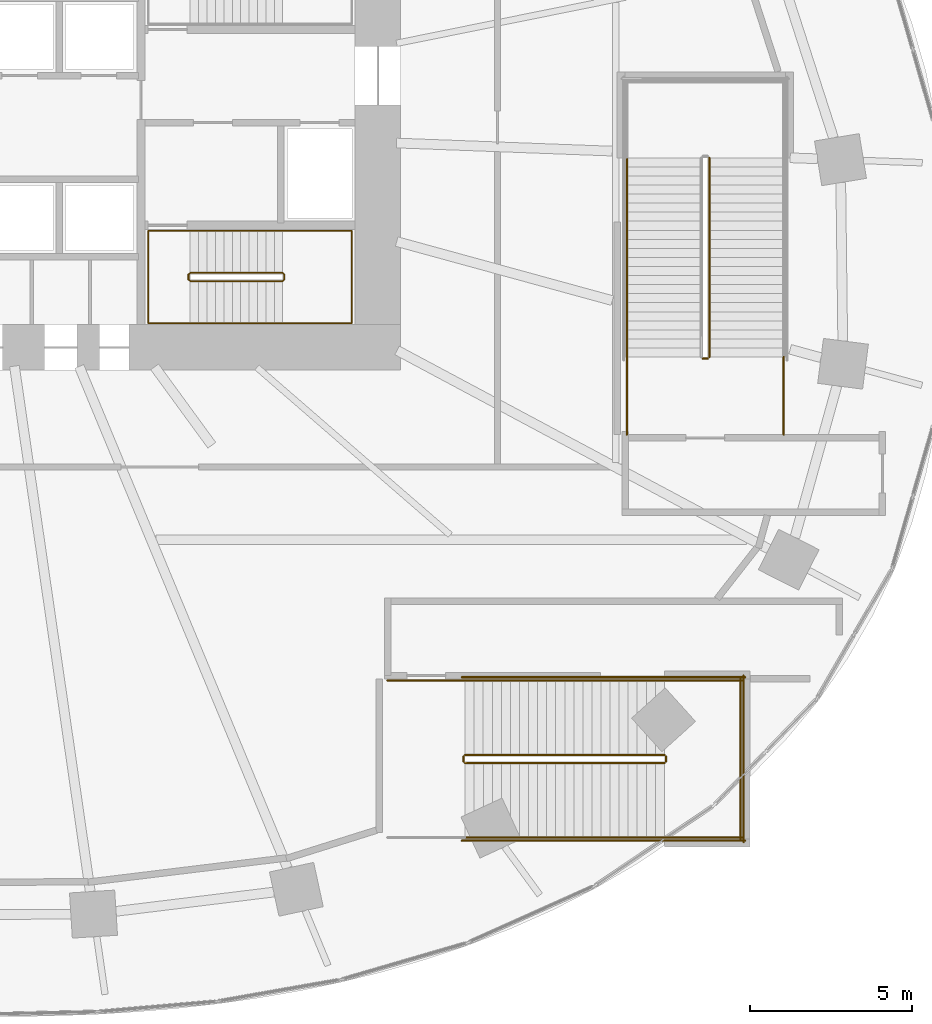
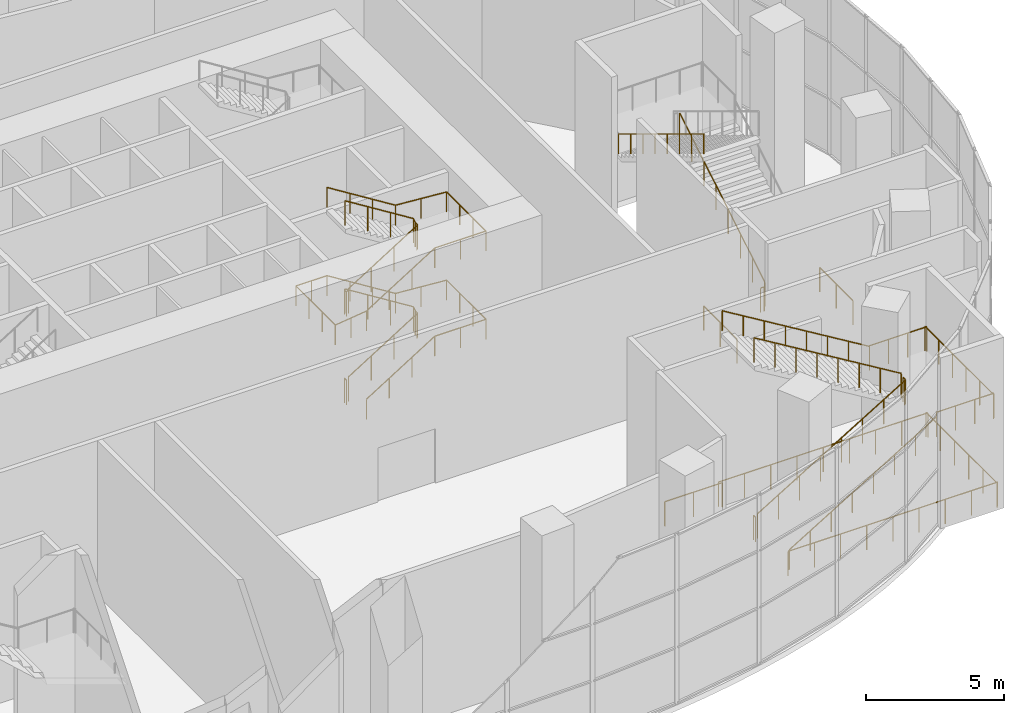
# One storey, part 20 of 22: 21 railings.
"""IFC4 building model written with IfcOpenShell, lengths in metres."""

from ifc_helpers import new_model, si_unit, direction, frame, origin, origin_2d, place, context, subcontext, project, spatial, circle, extrude, material, type_object, element, save


model = new_model("IFC4")

# Units and contexts
model_context = context("Model", 3, precision=1e-05, world=origin(), true_north=direction((0.0, 1.0)))
body_context = subcontext(model_context, "Body", "Model", "MODEL_VIEW")
ifc_project = project(units=[si_unit("LENGTHUNIT", "METRE"), si_unit("AREAUNIT", "SQUARE_METRE"), si_unit("VOLUMEUNIT", "CUBIC_METRE"), si_unit("PLANEANGLEUNIT", "RADIAN"), si_unit("MASSUNIT", "GRAM", prefix="KILO")], contexts=[model_context])

# Site, building, storey
site_placement = place(None, origin())
site = spatial("IfcSite", under=ifc_project, at=site_placement, CompositionType="ELEMENT")
building_placement = place(site_placement, origin())
building = spatial("IfcBuilding", under=site, at=building_placement, Name="Rubra Terraces Tower", CompositionType="ELEMENT")
storey_placement = place(building_placement, frame((0.0, 0.0, 7.199951171875)))
storey = spatial("IfcBuildingStorey", under=building, at=storey_placement, Name="L01", CompositionType="ELEMENT", Elevation=7.199951171875)

# Railings
ifc_material = material(Name="Stainless steel", Category="steel")
railing_type_1 = type_object("IfcRailingType", Name="Core stair guard 1100", PredefinedType="GUARDRAIL", material=ifc_material)
railing_1_placement = place(storey_placement, frame((6.5, -0.25, 0.16259765625)))
element("IfcRailing", 1, at=railing_1_placement, inside=storey, type_object=railing_type_1, Name="L01 stair S4 guard 1", PredefinedType="GUARDRAIL", context=body_context, shape_type="SweptSolid", body=[
    extrude(circle(Radius=0.02392578125, at=origin_2d()), frame((0.0, 0.0, 1.076171875), z_axis=(0.848026770018, 0.0, 0.529953391661), x_axis=(0.0, 1.0, 0.0)), (0.0, 0.0, 1.0), 3.37255859375),
    extrude(circle(Radius=0.02392578125, at=origin_2d()), frame((2.860107421875, 0.0, 2.86328125), z_axis=(0.705375805398, 0.708833529934, 0.0), x_axis=(-0.708833529934, 0.705375805398, 0.0)), (0.0, 0.0, 1.0), 0.070556640625),
    extrude(circle(Radius=0.02392578125, at=origin_2d()), frame((2.909912109375, 0.050048828125, 2.86328125), z_axis=(0.0, 1.0, 0.0), x_axis=(-1.0, 0.0, 0.0)), (0.0, 0.0, 1.0), 0.14990234375),
    extrude(circle(Radius=0.02392578125, at=origin_2d()), frame((2.909912109375, 0.199951171875, 2.86328125), z_axis=(-0.280959487676, 0.282336740067, 0.917250092119), x_axis=(-0.708833529934, -0.705375805398, 0.0)), (0.0, 0.0, 1.0), 0.17724609375),
    extrude(circle(Radius=0.02392578125, at=origin_2d()), frame((2.860107421875, 0.25, 3.02587890625), z_axis=(-0.847994237388, 0.0, 0.530005446535), x_axis=(0.0, -1.0, 0.0)), (0.0, 0.0, 1.0), 3.372802734375),
    extrude(circle(Radius=0.02392578125, at=origin_2d()), frame((0.0, 0.25, 4.8134765625), z_axis=(-0.707106781187, -0.707106781187, 0.0), x_axis=(0.707106781187, -0.707106781187, 0.0)), (0.0, 0.0, 1.0), 0.07080078125),
    extrude(circle(Radius=0.02392578125, at=origin_2d()), frame((-0.050048828125, 0.199951171875, 4.8134765625), z_axis=(0.0, -1.0, 0.0), x_axis=(1.0, 0.0, 0.0)), (0.0, 0.0, 1.0), 0.14990234375),
    extrude(circle(Radius=0.02392578125, at=origin_2d()), frame((-0.050048828125, 0.050048828125, 4.8134765625), z_axis=(0.282583949758, -0.282583949758, 0.916674763849), x_axis=(0.707106781187, 0.707106781187, 0.0)), (0.0, 0.0, 1.0), 0.177001953125),
    extrude(circle(Radius=0.02392578125, at=origin_2d()), frame((0.0, 0.0, 4.97607421875), z_axis=(0.847994237388, 0.0, 0.530005446535), x_axis=(0.0, 1.0, 0.0)), (0.0, 0.0, 1.0), 3.372802734375),
    extrude(circle(Radius=0.02392578125, at=origin_2d()), frame((2.860107421875, 0.0, 6.763671875), z_axis=(0.705375805398, 0.708833529934, 0.0), x_axis=(-0.708833529934, 0.705375805398, 0.0)), (0.0, 0.0, 1.0), 0.070556640625),
    extrude(circle(Radius=0.02392578125, at=origin_2d()), frame((2.909912109375, 0.050048828125, 6.763671875), z_axis=(0.0, 1.0, 0.0), x_axis=(-1.0, 0.0, 0.0)), (0.0, 0.0, 1.0), 0.14990234375),
    extrude(circle(Radius=0.02392578125, at=origin_2d()), frame((2.909912109375, 0.199951171875, 6.763671875), z_axis=(-0.281314826061, 0.282693820306, 0.917031173188), x_axis=(-0.708833529934, -0.705375805398, 0.0)), (0.0, 0.0, 1.0), 0.177001953125),
    extrude(circle(Radius=0.02392578125, at=origin_2d()), frame((2.860107421875, 0.25, 6.92578125), z_axis=(-0.847994237388, 0.0, 0.530005446535), x_axis=(0.0, -1.0, 0.0)), (0.0, 0.0, 1.0), 3.372802734375),
    extrude(circle(Radius=0.02099609375, at=origin_2d()), origin(), (0.0, 0.0, 1.0), 1.052001953125),
    extrude(circle(Radius=0.02099609375, at=origin_2d()), frame((0.953369140625, 0.0, 0.595703125)), (0.0, 0.0, 1.0), 1.052001953125),
    extrude(circle(Radius=0.02099609375, at=origin_2d()), frame((1.90673828125, 0.0, 1.191650390625)), (0.0, 0.0, 1.0), 1.052001953125),
    extrude(circle(Radius=0.02099609375, at=origin_2d()), frame((2.860107421875, 0.0, 1.787353515625)), (0.0, 0.0, 1.0), 1.052001953125),
    extrude(circle(Radius=0.02099609375, at=origin_2d()), frame((2.909912109375, 0.050048828125, 1.787353515625)), (0.0, 0.0, 1.0), 1.052001953125),
    extrude(circle(Radius=0.02099609375, at=origin_2d()), frame((2.909912109375, 0.199951171875, 1.787353515625)), (0.0, 0.0, 1.0), 1.052001953125),
    extrude(circle(Radius=0.02099609375, at=origin_2d()), frame((2.860107421875, 0.25, 1.949951171875)), (0.0, 0.0, 1.0), 1.052001953125),
    extrude(circle(Radius=0.02099609375, at=origin_2d()), frame((1.90673828125, 0.25, 2.5458984375)), (0.0, 0.0, 1.0), 1.052001953125),
    extrude(circle(Radius=0.02099609375, at=origin_2d()), frame((0.953369140625, 0.25, 3.1416015625)), (0.0, 0.0, 1.0), 1.052001953125),
    extrude(circle(Radius=0.02099609375, at=origin_2d()), frame((0.0, 0.25, 3.737548828125)), (0.0, 0.0, 1.0), 1.052001953125),
    extrude(circle(Radius=0.02099609375, at=origin_2d()), frame((-0.050048828125, 0.199951171875, 3.737548828125)), (0.0, 0.0, 1.0), 1.052001953125),
    extrude(circle(Radius=0.02099609375, at=origin_2d()), frame((-0.050048828125, 0.050048828125, 3.737548828125)), (0.0, 0.0, 1.0), 1.052001953125),
    extrude(circle(Radius=0.02099609375, at=origin_2d()), frame((0.0, 0.0, 3.89990234375)), (0.0, 0.0, 1.0), 1.052001953125),
    extrude(circle(Radius=0.02099609375, at=origin_2d()), frame((0.953369140625, 0.0, 4.495849609375)), (0.0, 0.0, 1.0), 1.052001953125),
    extrude(circle(Radius=0.02099609375, at=origin_2d()), frame((1.90673828125, 0.0, 5.091552734375)), (0.0, 0.0, 1.0), 1.052001953125),
    extrude(circle(Radius=0.02099609375, at=origin_2d()), frame((2.860107421875, 0.0, 5.6875)), (0.0, 0.0, 1.0), 1.052001953125),
    extrude(circle(Radius=0.02099609375, at=origin_2d()), frame((2.909912109375, 0.050048828125, 5.6875)), (0.0, 0.0, 1.0), 1.052001953125),
    extrude(circle(Radius=0.02099609375, at=origin_2d()), frame((2.909912109375, 0.199951171875, 5.6875)), (0.0, 0.0, 1.0), 1.052001953125),
    extrude(circle(Radius=0.02099609375, at=origin_2d()), frame((2.860107421875, 0.25, 5.849853515625)), (0.0, 0.0, 1.0), 1.052001953125),
    extrude(circle(Radius=0.02099609375, at=origin_2d()), frame((1.90673828125, 0.25, 6.44580078125)), (0.0, 0.0, 1.0), 1.052001953125),
    extrude(circle(Radius=0.02099609375, at=origin_2d()), frame((0.953369140625, 0.25, 7.04150390625)), (0.0, 0.0, 1.0), 1.052001953125),
    extrude(circle(Radius=0.02099609375, at=origin_2d()), frame((0.0, 0.25, 7.637451171875)), (0.0, 0.0, 1.0), 1.052001953125),
])
railing_2_placement = place(storey_placement, frame((6.449951171875, -0.199951171875, 0.0)))
element("IfcRailing", 2, at=railing_2_placement, inside=storey, type_object=railing_type_1, Name="L01 stair S4 guard 2", PredefinedType="GUARDRAIL", context=body_context, shape_type="SweptSolid", body=[
    extrude(circle(Radius=0.02392578125, at=origin_2d()), frame((0.0, 0.0, 1.076171875), z_axis=(0.0, 1.0, 0.0), x_axis=(-1.0, 0.0, 0.0)), (0.0, 0.0, 1.0), 0.14990234375),
    extrude(circle(Radius=0.02099609375, at=origin_2d()), origin(), (0.0, 0.0, 1.0), 1.052001953125),
    extrude(circle(Radius=0.02099609375, at=origin_2d()), frame((0.0, 0.14990234375, 0.0)), (0.0, 0.0, 1.0), 1.052001953125),
])
railing_type_2 = type_object("IfcRailingType", Name="Core stair handrail 900", PredefinedType="HANDRAIL", material=ifc_material)
railing_3_placement = place(storey_placement, frame((6.5, -1.550048828125, 0.16259765625)))
element("IfcRailing", 3, at=railing_3_placement, inside=storey, type_object=railing_type_2, Name="L01 stair S4 handrail 1", PredefinedType="HANDRAIL", context=body_context, shape_type="SweptSolid", body=[
    extrude(circle(Radius=0.02392578125, at=origin_2d()), frame((0.0, 0.0, 0.8759765625), z_axis=(0.848026770018, 0.0, 0.529953391661), x_axis=(0.0, 1.0, 0.0)), (0.0, 0.0, 1.0), 3.37255859375),
    extrude(circle(Radius=0.02392578125, at=origin_2d()), frame((2.860107421875, 0.0, 2.6630859375), z_axis=(1.0, 0.0, 0.0), x_axis=(0.0, 1.0, 0.0)), (0.0, 0.0, 1.0), 2.139892578125),
    extrude(circle(Radius=0.02392578125, at=origin_2d()), frame((5.0, 0.0, 2.6630859375), z_axis=(0.0, 1.0, 0.0), x_axis=(-1.0, 0.0, 0.0)), (0.0, 0.0, 1.0), 2.85009765625),
    extrude(circle(Radius=0.02392578125, at=origin_2d()), frame((5.0, 2.85009765625, 2.6630859375), z_axis=(-0.997125654253, 0.0, 0.075765623016), x_axis=(0.0, -1.0, 0.0)), (0.0, 0.0, 1.0), 2.14599609375),
    extrude(circle(Radius=0.02392578125, at=origin_2d()), frame((2.860107421875, 2.85009765625, 2.82568359375), z_axis=(-0.847994237388, 0.0, 0.530005446535), x_axis=(0.0, -1.0, 0.0)), (0.0, 0.0, 1.0), 3.372802734375),
    extrude(circle(Radius=0.02392578125, at=origin_2d()), frame((0.0, 2.85009765625, 4.61328125), z_axis=(-1.0, 0.0, 0.0), x_axis=(0.0, -1.0, 0.0)), (0.0, 0.0, 1.0), 1.300048828125),
    extrude(circle(Radius=0.02392578125, at=origin_2d()), frame((-1.300048828125, 2.85009765625, 4.61328125), z_axis=(0.0, -1.0, 0.0), x_axis=(1.0, 0.0, 0.0)), (0.0, 0.0, 1.0), 2.85009765625),
    extrude(circle(Radius=0.02392578125, at=origin_2d()), frame((-1.300048828125, 0.0, 4.61328125), z_axis=(0.992292204392, 0.0, 0.123920059328), x_axis=(0.0, 1.0, 0.0)), (0.0, 0.0, 1.0), 1.31005859375),
    extrude(circle(Radius=0.02392578125, at=origin_2d()), frame((0.0, 0.0, 4.77587890625), z_axis=(0.847994237388, 0.0, 0.530005446535), x_axis=(0.0, 1.0, 0.0)), (0.0, 0.0, 1.0), 3.372802734375),
    extrude(circle(Radius=0.02392578125, at=origin_2d()), frame((2.860107421875, 0.0, 6.5634765625), z_axis=(1.0, 0.0, 0.0), x_axis=(0.0, 1.0, 0.0)), (0.0, 0.0, 1.0), 2.139892578125),
    extrude(circle(Radius=0.02392578125, at=origin_2d()), frame((5.0, 0.0, 6.5634765625), z_axis=(0.0, 1.0, 0.0), x_axis=(-1.0, 0.0, 0.0)), (0.0, 0.0, 1.0), 2.85009765625),
    extrude(circle(Radius=0.02392578125, at=origin_2d()), frame((5.0, 2.85009765625, 6.5634765625), z_axis=(-0.9971342424, 0.0, 0.075652512401), x_axis=(0.0, -1.0, 0.0)), (0.0, 0.0, 1.0), 2.14599609375),
    extrude(circle(Radius=0.02392578125, at=origin_2d()), frame((2.860107421875, 2.85009765625, 6.7255859375), z_axis=(-0.847994237388, 0.0, 0.530005446535), x_axis=(0.0, -1.0, 0.0)), (0.0, 0.0, 1.0), 3.372802734375),
    extrude(circle(Radius=0.02099609375, at=origin_2d()), origin(), (0.0, 0.0, 1.0), 0.851806640625),
    extrude(circle(Radius=0.02099609375, at=origin_2d()), frame((0.953369140625, 0.0, 0.595703125)), (0.0, 0.0, 1.0), 0.851806640625),
    extrude(circle(Radius=0.02099609375, at=origin_2d()), frame((1.90673828125, 0.0, 1.191650390625)), (0.0, 0.0, 1.0), 0.851806640625),
    extrude(circle(Radius=0.02099609375, at=origin_2d()), frame((2.860107421875, 0.0, 1.787353515625)), (0.0, 0.0, 1.0), 0.851806640625),
    extrude(circle(Radius=0.02099609375, at=origin_2d()), frame((3.93017578125, 0.0, 1.787353515625)), (0.0, 0.0, 1.0), 0.851806640625),
    extrude(circle(Radius=0.02099609375, at=origin_2d()), frame((5.0, 0.0, 1.787353515625)), (0.0, 0.0, 1.0), 0.851806640625),
    extrude(circle(Radius=0.02099609375, at=origin_2d()), frame((5.0, 0.949951171875, 1.787353515625)), (0.0, 0.0, 1.0), 0.851806640625),
    extrude(circle(Radius=0.02099609375, at=origin_2d()), frame((5.0, 1.900146484375, 1.787353515625)), (0.0, 0.0, 1.0), 0.851806640625),
    extrude(circle(Radius=0.02099609375, at=origin_2d()), frame((5.0, 2.85009765625, 1.787353515625)), (0.0, 0.0, 1.0), 0.851806640625),
    extrude(circle(Radius=0.02099609375, at=origin_2d()), frame((3.93017578125, 2.85009765625, 1.86865234375)), (0.0, 0.0, 1.0), 0.851806640625),
    extrude(circle(Radius=0.02099609375, at=origin_2d()), frame((2.860107421875, 2.85009765625, 1.949951171875)), (0.0, 0.0, 1.0), 0.851806640625),
    extrude(circle(Radius=0.02099609375, at=origin_2d()), frame((1.90673828125, 2.85009765625, 2.5458984375)), (0.0, 0.0, 1.0), 0.851806640625),
    extrude(circle(Radius=0.02099609375, at=origin_2d()), frame((0.953369140625, 2.85009765625, 3.1416015625)), (0.0, 0.0, 1.0), 0.851806640625),
    extrude(circle(Radius=0.02099609375, at=origin_2d()), frame((0.0, 2.85009765625, 3.737548828125)), (0.0, 0.0, 1.0), 0.851806640625),
    extrude(circle(Radius=0.02099609375, at=origin_2d()), frame((-0.64990234375, 2.85009765625, 3.737548828125)), (0.0, 0.0, 1.0), 0.851806640625),
    extrude(circle(Radius=0.02099609375, at=origin_2d()), frame((-1.300048828125, 2.85009765625, 3.737548828125)), (0.0, 0.0, 1.0), 0.851806640625),
    extrude(circle(Radius=0.02099609375, at=origin_2d()), frame((-1.300048828125, 1.900146484375, 3.737548828125)), (0.0, 0.0, 1.0), 0.851806640625),
    extrude(circle(Radius=0.02099609375, at=origin_2d()), frame((-1.300048828125, 0.949951171875, 3.737548828125)), (0.0, 0.0, 1.0), 0.851806640625),
    extrude(circle(Radius=0.02099609375, at=origin_2d()), frame((-1.300048828125, 0.0, 3.737548828125)), (0.0, 0.0, 1.0), 0.851806640625),
    extrude(circle(Radius=0.02099609375, at=origin_2d()), frame((-0.64990234375, 0.0, 3.81884765625)), (0.0, 0.0, 1.0), 0.851806640625),
    extrude(circle(Radius=0.02099609375, at=origin_2d()), frame((0.0, 0.0, 3.89990234375)), (0.0, 0.0, 1.0), 0.851806640625),
    extrude(circle(Radius=0.02099609375, at=origin_2d()), frame((0.953369140625, 0.0, 4.495849609375)), (0.0, 0.0, 1.0), 0.851806640625),
    extrude(circle(Radius=0.02099609375, at=origin_2d()), frame((1.90673828125, 0.0, 5.091552734375)), (0.0, 0.0, 1.0), 0.851806640625),
    extrude(circle(Radius=0.02099609375, at=origin_2d()), frame((2.860107421875, 0.0, 5.6875)), (0.0, 0.0, 1.0), 0.851806640625),
    extrude(circle(Radius=0.02099609375, at=origin_2d()), frame((3.93017578125, 0.0, 5.6875)), (0.0, 0.0, 1.0), 0.851806640625),
    extrude(circle(Radius=0.02099609375, at=origin_2d()), frame((5.0, 0.0, 5.6875)), (0.0, 0.0, 1.0), 0.851806640625),
    extrude(circle(Radius=0.02099609375, at=origin_2d()), frame((5.0, 0.949951171875, 5.6875)), (0.0, 0.0, 1.0), 0.851806640625),
    extrude(circle(Radius=0.02099609375, at=origin_2d()), frame((5.0, 1.900146484375, 5.6875)), (0.0, 0.0, 1.0), 0.851806640625),
    extrude(circle(Radius=0.02099609375, at=origin_2d()), frame((5.0, 2.85009765625, 5.6875)), (0.0, 0.0, 1.0), 0.851806640625),
    extrude(circle(Radius=0.02099609375, at=origin_2d()), frame((3.93017578125, 2.85009765625, 5.7685546875)), (0.0, 0.0, 1.0), 0.851806640625),
    extrude(circle(Radius=0.02099609375, at=origin_2d()), frame((2.860107421875, 2.85009765625, 5.849853515625)), (0.0, 0.0, 1.0), 0.851806640625),
    extrude(circle(Radius=0.02099609375, at=origin_2d()), frame((1.90673828125, 2.85009765625, 6.44580078125)), (0.0, 0.0, 1.0), 0.851806640625),
    extrude(circle(Radius=0.02099609375, at=origin_2d()), frame((0.953369140625, 2.85009765625, 7.04150390625)), (0.0, 0.0, 1.0), 0.851806640625),
    extrude(circle(Radius=0.02099609375, at=origin_2d()), frame((0.0, 2.85009765625, 7.637451171875)), (0.0, 0.0, 1.0), 0.851806640625),
])
railing_type_3 = type_object("IfcRailingType", Name="Public stair guard 1100", PredefinedType="GUARDRAIL", material=ifc_material)
railing_4_placement = place(storey_placement, frame((22.550048828125, -2.60009765625, 0.169677734375)))
element("IfcRailing", 4, at=railing_4_placement, inside=storey, type_object=railing_type_3, Name="L01 PS2 stair guard 1", PredefinedType="GUARDRAIL", context=body_context, shape_type="SweptSolid", body=[
    extrude(circle(Radius=0.02392578125, at=origin_2d()), frame((0.0, 0.0, 1.076171875), z_axis=(0.0, 0.855379917629, 0.518001154937), x_axis=(-1.0, 0.0, 0.0)), (0.0, 0.0, 1.0), 7.20166015625),
    extrude(circle(Radius=0.02099609375, at=origin_2d()), origin(), (0.0, 0.0, 1.0), 1.052001953125),
    extrude(circle(Radius=0.02099609375, at=origin_2d()), frame((0.0, 0.880126953125, 0.532958984375)), (0.0, 0.0, 1.0), 1.052001953125),
    extrude(circle(Radius=0.02099609375, at=origin_2d()), frame((0.0, 1.760009765625, 1.06591796875)), (0.0, 0.0, 1.0), 1.052001953125),
    extrude(circle(Radius=0.02099609375, at=origin_2d()), frame((0.0, 2.64013671875, 1.598876953125)), (0.0, 0.0, 1.0), 1.052001953125),
    extrude(circle(Radius=0.02099609375, at=origin_2d()), frame((0.0, 3.52001953125, 2.131591796875)), (0.0, 0.0, 1.0), 1.052001953125),
    extrude(circle(Radius=0.02099609375, at=origin_2d()), frame((0.0, 4.400146484375, 2.66455078125)), (0.0, 0.0, 1.0), 1.052001953125),
    extrude(circle(Radius=0.02099609375, at=origin_2d()), frame((0.0, 5.280029296875, 3.197509765625)), (0.0, 0.0, 1.0), 1.052001953125),
    extrude(circle(Radius=0.02099609375, at=origin_2d()), frame((0.0, 6.16015625, 3.73046875)), (0.0, 0.0, 1.0), 1.052001953125),
])
railing_5_placement = place(storey_placement, frame((22.5, -2.64990234375, 0.0)))
element("IfcRailing", 5, at=railing_5_placement, inside=storey, type_object=railing_type_3, Name="L01 PS2 stair guard 7", PredefinedType="GUARDRAIL", context=body_context, shape_type="SweptSolid", body=[
    extrude(circle(Radius=0.02392578125, at=origin_2d()), frame((0.0, 0.0, 1.076171875), z_axis=(-1.0, 0.0, 0.0), x_axis=(0.0, -1.0, 0.0)), (0.0, 0.0, 1.0), 0.14990234375),
    extrude(circle(Radius=0.02099609375, at=origin_2d()), origin(), (0.0, 0.0, 1.0), 1.052001953125),
    extrude(circle(Radius=0.02099609375, at=origin_2d()), frame((-0.14990234375, 0.0, 0.0)), (0.0, 0.0, 1.0), 1.052001953125),
])
for number, where, name in (
    (6, (24.85009765625, -5.0, 0.0), "L01 PS2 stair guard 8"),
    (7, (20.0, -5.0, 0.0), "L01 PS2 stair guard 9"),
):
    element("IfcRailing", number, at=place(storey_placement, frame(where)), inside=storey, type_object=railing_type_3, Name=name, PredefinedType="GUARDRAIL", context=body_context, shape_type="SweptSolid", body=[
        extrude(circle(Radius=0.02392578125, at=origin_2d()), frame((0.0, 0.0, 1.076171875), z_axis=(0.0, 1.0, 0.0), x_axis=(-1.0, 0.0, 0.0)), (0.0, 0.0, 1.0), 2.39990234375),
        extrude(circle(Radius=0.02099609375, at=origin_2d()), origin(), (0.0, 0.0, 1.0), 1.052001953125),
        extrude(circle(Radius=0.02099609375, at=origin_2d()), frame((0.0, 1.199951171875, 0.0)), (0.0, 0.0, 1.0), 1.052001953125),
        extrude(circle(Radius=0.02099609375, at=origin_2d()), frame((0.0, 2.39990234375, 0.0)), (0.0, 0.0, 1.0), 1.052001953125),
    ])
railing_6_placement = place(storey_placement, frame((15.0, -15.14990234375, 0.169677734375)))
element("IfcRailing", 8, at=railing_6_placement, inside=storey, type_object=railing_type_3, Name="L01 PS4 stair guard 1", PredefinedType="GUARDRAIL", context=body_context, shape_type="SweptSolid", body=[
    extrude(circle(Radius=0.02392578125, at=origin_2d()), frame((0.0, 0.0, 1.076171875), z_axis=(0.855370820849, 0.0, 0.518016176234), x_axis=(0.0, 1.0, 0.0)), (0.0, 0.0, 1.0), 7.201416015625),
    extrude(circle(Radius=0.02099609375, at=origin_2d()), origin(), (0.0, 0.0, 1.0), 1.052001953125),
    extrude(circle(Radius=0.02099609375, at=origin_2d()), frame((0.8798828125, 0.0, 0.532958984375)), (0.0, 0.0, 1.0), 1.052001953125),
    extrude(circle(Radius=0.02099609375, at=origin_2d()), frame((1.760009765625, 0.0, 1.06591796875)), (0.0, 0.0, 1.0), 1.052001953125),
    extrude(circle(Radius=0.02099609375, at=origin_2d()), frame((2.639892578125, 0.0, 1.598876953125)), (0.0, 0.0, 1.0), 1.052001953125),
    extrude(circle(Radius=0.02099609375, at=origin_2d()), frame((3.52001953125, 0.0, 2.131591796875)), (0.0, 0.0, 1.0), 1.052001953125),
    extrude(circle(Radius=0.02099609375, at=origin_2d()), frame((4.39990234375, 0.0, 2.66455078125)), (0.0, 0.0, 1.0), 1.052001953125),
    extrude(circle(Radius=0.02099609375, at=origin_2d()), frame((5.280029296875, 0.0, 3.197509765625)), (0.0, 0.0, 1.0), 1.052001953125),
    extrude(circle(Radius=0.02099609375, at=origin_2d()), frame((6.159912109375, 0.0, 3.73046875)), (0.0, 0.0, 1.0), 1.052001953125),
])
railing_7_placement = place(storey_placement, frame((21.2099609375, -15.10009765625, 3.900146484375)))
element("IfcRailing", 9, at=railing_7_placement, inside=storey, type_object=railing_type_3, Name="L01 PS4 stair guard 2", PredefinedType="GUARDRAIL", context=body_context, shape_type="SweptSolid", body=[
    extrude(circle(Radius=0.02392578125, at=origin_2d()), frame((0.0, 0.0, 1.076171875), z_axis=(0.0, 1.0, 0.0), x_axis=(-1.0, 0.0, 0.0)), (0.0, 0.0, 1.0), 0.150146484375),
    extrude(circle(Radius=0.02099609375, at=origin_2d()), origin(), (0.0, 0.0, 1.0), 1.052001953125),
    extrude(circle(Radius=0.02099609375, at=origin_2d()), frame((0.0, 0.150146484375, 0.0)), (0.0, 0.0, 1.0), 1.052001953125),
])
for number, where, name in (
    (10, (21.159912109375, -17.449951171875, 3.900146484375), "L01 PS4 stair guard 3"),
    (11, (21.159912109375, -12.60009765625, 3.900146484375), "L01 PS4 stair guard 4"),
):
    element("IfcRailing", number, at=place(storey_placement, frame(where)), inside=storey, type_object=railing_type_3, Name=name, PredefinedType="GUARDRAIL", context=body_context, shape_type="SweptSolid", body=[
        extrude(circle(Radius=0.02392578125, at=origin_2d()), frame((0.0, 0.0, 1.076171875), z_axis=(1.0, 0.0, 0.0), x_axis=(0.0, 1.0, 0.0)), (0.0, 0.0, 1.0), 2.400146484375),
        extrude(circle(Radius=0.02099609375, at=origin_2d()), origin(), (0.0, 0.0, 1.0), 1.052001953125),
        extrude(circle(Radius=0.02099609375, at=origin_2d()), frame((0.800048828125, 0.0, 0.0)), (0.0, 0.0, 1.0), 1.052001953125),
        extrude(circle(Radius=0.02099609375, at=origin_2d()), frame((1.60009765625, 0.0, 0.0)), (0.0, 0.0, 1.0), 1.052001953125),
        extrude(circle(Radius=0.02099609375, at=origin_2d()), frame((2.400146484375, 0.0, 0.0)), (0.0, 0.0, 1.0), 1.052001953125),
    ])
railing_8_placement = place(storey_placement, frame((23.510009765625, -17.5, 3.900146484375)))
element("IfcRailing", 12, at=railing_8_placement, inside=storey, type_object=railing_type_3, Name="L01 PS4 stair guard 5", PredefinedType="GUARDRAIL", context=body_context, shape_type="SweptSolid", body=[
    extrude(circle(Radius=0.02392578125, at=origin_2d()), frame((0.0, 0.0, 1.076171875), z_axis=(0.0, 1.0, 0.0), x_axis=(-1.0, 0.0, 0.0)), (0.0, 0.0, 1.0), 4.949951171875),
    extrude(circle(Radius=0.02099609375, at=origin_2d()), origin(), (0.0, 0.0, 1.0), 1.052001953125),
    extrude(circle(Radius=0.02099609375, at=origin_2d()), frame((0.0, 0.989990234375, 0.0)), (0.0, 0.0, 1.0), 1.052001953125),
    extrude(circle(Radius=0.02099609375, at=origin_2d()), frame((0.0, 1.97998046875, 0.0)), (0.0, 0.0, 1.0), 1.052001953125),
    extrude(circle(Radius=0.02099609375, at=origin_2d()), frame((0.0, 2.969970703125, 0.0)), (0.0, 0.0, 1.0), 1.052001953125),
    extrude(circle(Radius=0.02099609375, at=origin_2d()), frame((0.0, 3.9599609375, 0.0)), (0.0, 0.0, 1.0), 1.052001953125),
    extrude(circle(Radius=0.02099609375, at=origin_2d()), frame((0.0, 4.949951171875, 0.0)), (0.0, 0.0, 1.0), 1.052001953125),
])
railing_9_placement = place(storey_placement, frame((21.159912109375, -14.89990234375, 4.069580078125)))
element("IfcRailing", 13, at=railing_9_placement, inside=storey, type_object=railing_type_3, Name="L01 PS4 stair guard 6", PredefinedType="GUARDRAIL", context=body_context, shape_type="SweptSolid", body=[
    extrude(circle(Radius=0.02392578125, at=origin_2d()), frame((0.0, 0.0, 1.076171875), z_axis=(-0.855370820849, 0.0, 0.518016176234), x_axis=(0.0, -1.0, 0.0)), (0.0, 0.0, 1.0), 7.201416015625),
    extrude(circle(Radius=0.02099609375, at=origin_2d()), origin(), (0.0, 0.0, 1.0), 1.052001953125),
    extrude(circle(Radius=0.02099609375, at=origin_2d()), frame((-0.8798828125, 0.0, 0.532958984375)), (0.0, 0.0, 1.0), 1.052001953125),
    extrude(circle(Radius=0.02099609375, at=origin_2d()), frame((-1.760009765625, 0.0, 1.06591796875)), (0.0, 0.0, 1.0), 1.052001953125),
    extrude(circle(Radius=0.02099609375, at=origin_2d()), frame((-2.639892578125, 0.0, 1.598876953125)), (0.0, 0.0, 1.0), 1.052001953125),
    extrude(circle(Radius=0.02099609375, at=origin_2d()), frame((-3.52001953125, 0.0, 2.131591796875)), (0.0, 0.0, 1.0), 1.052001953125),
    extrude(circle(Radius=0.02099609375, at=origin_2d()), frame((-4.39990234375, 0.0, 2.66455078125)), (0.0, 0.0, 1.0), 1.052001953125),
    extrude(circle(Radius=0.02099609375, at=origin_2d()), frame((-5.280029296875, 0.0, 3.197509765625)), (0.0, 0.0, 1.0), 1.052001953125),
    extrude(circle(Radius=0.02099609375, at=origin_2d()), frame((-6.159912109375, 0.0, 3.73046875)), (0.0, 0.0, 1.0), 1.052001953125),
])
railing_10_placement = place(storey_placement, frame((14.949951171875, -15.10009765625, 0.0)))
element("IfcRailing", 14, at=railing_10_placement, inside=storey, type_object=railing_type_3, Name="L01 PS4 stair guard 7", PredefinedType="GUARDRAIL", context=body_context, shape_type="SweptSolid", body=[
    extrude(circle(Radius=0.02392578125, at=origin_2d()), frame((0.0, 0.0, 1.076171875), z_axis=(0.0, 1.0, 0.0), x_axis=(-1.0, 0.0, 0.0)), (0.0, 0.0, 1.0), 0.150146484375),
    extrude(circle(Radius=0.02099609375, at=origin_2d()), origin(), (0.0, 0.0, 1.0), 1.052001953125),
    extrude(circle(Radius=0.02099609375, at=origin_2d()), frame((0.0, 0.150146484375, 0.0)), (0.0, 0.0, 1.0), 1.052001953125),
])
railing_11_placement = place(storey_placement, frame((12.60009765625, -12.60009765625, 0.0)))
element("IfcRailing", 15, at=railing_11_placement, inside=storey, type_object=railing_type_3, Name="L01 PS4 stair guard 9", PredefinedType="GUARDRAIL", context=body_context, shape_type="SweptSolid", body=[
    extrude(circle(Radius=0.02392578125, at=origin_2d()), frame((0.0, 0.0, 1.076171875), z_axis=(1.0, 0.0, 0.0), x_axis=(0.0, 1.0, 0.0)), (0.0, 0.0, 1.0), 2.39990234375),
    extrude(circle(Radius=0.02099609375, at=origin_2d()), origin(), (0.0, 0.0, 1.0), 1.052001953125),
    extrude(circle(Radius=0.02099609375, at=origin_2d()), frame((1.199951171875, 0.0, 0.0)), (0.0, 0.0, 1.0), 1.052001953125),
    extrude(circle(Radius=0.02099609375, at=origin_2d()), frame((2.39990234375, 0.0, 0.0)), (0.0, 0.0, 1.0), 1.052001953125),
])
for number, where, name in (
    (16, (14.89990234375, -17.550048828125, 0.0), "L01 PS4 stair guard 10"),
    (17, (14.89990234375, -12.5, 0.0), "L01 PS4 stair guard 11"),
):
    element("IfcRailing", number, at=place(storey_placement, frame(where)), inside=storey, type_object=railing_type_3, Name=name, PredefinedType="GUARDRAIL", context=body_context, shape_type="SweptSolid", body=[
        extrude(circle(Radius=0.02392578125, at=origin_2d()), frame((0.0, 0.0, 1.076171875), z_axis=(1.0, 0.0, 0.0), x_axis=(0.0, 1.0, 0.0)), (0.0, 0.0, 1.0), 8.760009765625),
        extrude(circle(Radius=0.02099609375, at=origin_2d()), origin(), (0.0, 0.0, 1.0), 1.052001953125),
        extrude(circle(Radius=0.02099609375, at=origin_2d()), frame((1.094970703125, 0.0, 0.0)), (0.0, 0.0, 1.0), 1.052001953125),
        extrude(circle(Radius=0.02099609375, at=origin_2d()), frame((2.18994140625, 0.0, 0.0)), (0.0, 0.0, 1.0), 1.052001953125),
        extrude(circle(Radius=0.02099609375, at=origin_2d()), frame((3.284912109375, 0.0, 0.0)), (0.0, 0.0, 1.0), 1.052001953125),
        extrude(circle(Radius=0.02099609375, at=origin_2d()), frame((4.3798828125, 0.0, 0.0)), (0.0, 0.0, 1.0), 1.052001953125),
        extrude(circle(Radius=0.02099609375, at=origin_2d()), frame((5.47509765625, 0.0, 0.0)), (0.0, 0.0, 1.0), 1.052001953125),
        extrude(circle(Radius=0.02099609375, at=origin_2d()), frame((6.570068359375, 0.0, 0.0)), (0.0, 0.0, 1.0), 1.052001953125),
        extrude(circle(Radius=0.02099609375, at=origin_2d()), frame((7.6650390625, 0.0, 0.0)), (0.0, 0.0, 1.0), 1.052001953125),
        extrude(circle(Radius=0.02099609375, at=origin_2d()), frame((8.760009765625, 0.0, 0.0)), (0.0, 0.0, 1.0), 1.052001953125),
    ])
railing_12_placement = place(storey_placement, frame((23.610107421875, -17.60009765625, 0.0)))
element("IfcRailing", 18, at=railing_12_placement, inside=storey, type_object=railing_type_3, Name="L01 PS4 stair guard 12", PredefinedType="GUARDRAIL", context=body_context, shape_type="SweptSolid", body=[
    extrude(circle(Radius=0.02392578125, at=origin_2d()), frame((0.0, 0.0, 1.076171875), z_axis=(0.0, 1.0, 0.0), x_axis=(-1.0, 0.0, 0.0)), (0.0, 0.0, 1.0), 5.150146484375),
    extrude(circle(Radius=0.02099609375, at=origin_2d()), origin(), (0.0, 0.0, 1.0), 1.052001953125),
    extrude(circle(Radius=0.02099609375, at=origin_2d()), frame((0.0, 1.030029296875, 0.0)), (0.0, 0.0, 1.0), 1.052001953125),
    extrude(circle(Radius=0.02099609375, at=origin_2d()), frame((0.0, 2.06005859375, 0.0)), (0.0, 0.0, 1.0), 1.052001953125),
    extrude(circle(Radius=0.02099609375, at=origin_2d()), frame((0.0, 3.090087890625, 0.0)), (0.0, 0.0, 1.0), 1.052001953125),
    extrude(circle(Radius=0.02099609375, at=origin_2d()), frame((0.0, 4.1201171875, 0.0)), (0.0, 0.0, 1.0), 1.052001953125),
    extrude(circle(Radius=0.02099609375, at=origin_2d()), frame((0.0, 5.150146484375, 0.0)), (0.0, 0.0, 1.0), 1.052001953125),
])
railing_type_4 = type_object("IfcRailingType", Name="Public stair handrail 900", PredefinedType="HANDRAIL", material=ifc_material)
railing_13_placement = place(storey_placement, frame((20.0, 3.56005859375, 4.069580078125)))
element("IfcRailing", 19, at=railing_13_placement, inside=storey, type_object=railing_type_4, Name="L01 PS2 stair handrail 2", PredefinedType="HANDRAIL", context=body_context, shape_type="SweptSolid", body=[
    extrude(circle(Radius=0.02392578125, at=origin_2d()), frame((0.0, 0.0, 0.8759765625), z_axis=(0.0, -0.855379917629, 0.518001154937), x_axis=(1.0, 0.0, 0.0)), (0.0, 0.0, 1.0), 7.20166015625),
    extrude(circle(Radius=0.02099609375, at=origin_2d()), origin(), (0.0, 0.0, 1.0), 0.851806640625),
    extrude(circle(Radius=0.02099609375, at=origin_2d()), frame((0.0, -0.880126953125, 0.532958984375)), (0.0, 0.0, 1.0), 0.851806640625),
    extrude(circle(Radius=0.02099609375, at=origin_2d()), frame((0.0, -1.760009765625, 1.06591796875)), (0.0, 0.0, 1.0), 0.851806640625),
    extrude(circle(Radius=0.02099609375, at=origin_2d()), frame((0.0, -2.64013671875, 1.598876953125)), (0.0, 0.0, 1.0), 0.851806640625),
    extrude(circle(Radius=0.02099609375, at=origin_2d()), frame((0.0, -3.52001953125, 2.131591796875)), (0.0, 0.0, 1.0), 0.851806640625),
    extrude(circle(Radius=0.02099609375, at=origin_2d()), frame((0.0, -4.400146484375, 2.66455078125)), (0.0, 0.0, 1.0), 0.851806640625),
    extrude(circle(Radius=0.02099609375, at=origin_2d()), frame((0.0, -5.280029296875, 3.197509765625)), (0.0, 0.0, 1.0), 0.851806640625),
    extrude(circle(Radius=0.02099609375, at=origin_2d()), frame((0.0, -6.16015625, 3.73046875)), (0.0, 0.0, 1.0), 0.851806640625),
])
railing_14_placement = place(storey_placement, frame((15.0, -17.449951171875, 0.169677734375)))
element("IfcRailing", 20, at=railing_14_placement, inside=storey, type_object=railing_type_4, Name="L01 PS4 stair handrail 1", PredefinedType="HANDRAIL", context=body_context, shape_type="SweptSolid", body=[
    extrude(circle(Radius=0.02392578125, at=origin_2d()), frame((0.0, 0.0, 0.8759765625), z_axis=(0.855370820849, 0.0, 0.518016176234), x_axis=(0.0, 1.0, 0.0)), (0.0, 0.0, 1.0), 7.201416015625),
    extrude(circle(Radius=0.02099609375, at=origin_2d()), origin(), (0.0, 0.0, 1.0), 0.851806640625),
    extrude(circle(Radius=0.02099609375, at=origin_2d()), frame((0.8798828125, 0.0, 0.532958984375)), (0.0, 0.0, 1.0), 0.851806640625),
    extrude(circle(Radius=0.02099609375, at=origin_2d()), frame((1.760009765625, 0.0, 1.06591796875)), (0.0, 0.0, 1.0), 0.851806640625),
    extrude(circle(Radius=0.02099609375, at=origin_2d()), frame((2.639892578125, 0.0, 1.598876953125)), (0.0, 0.0, 1.0), 0.851806640625),
    extrude(circle(Radius=0.02099609375, at=origin_2d()), frame((3.52001953125, 0.0, 2.131591796875)), (0.0, 0.0, 1.0), 0.851806640625),
    extrude(circle(Radius=0.02099609375, at=origin_2d()), frame((4.39990234375, 0.0, 2.66455078125)), (0.0, 0.0, 1.0), 0.851806640625),
    extrude(circle(Radius=0.02099609375, at=origin_2d()), frame((5.280029296875, 0.0, 3.197509765625)), (0.0, 0.0, 1.0), 0.851806640625),
    extrude(circle(Radius=0.02099609375, at=origin_2d()), frame((6.159912109375, 0.0, 3.73046875)), (0.0, 0.0, 1.0), 0.851806640625),
])
railing_15_placement = place(storey_placement, frame((21.159912109375, -12.60009765625, 4.069580078125)))
element("IfcRailing", 21, at=railing_15_placement, inside=storey, type_object=railing_type_4, Name="L01 PS4 stair handrail 2", PredefinedType="HANDRAIL", context=body_context, shape_type="SweptSolid", body=[
    extrude(circle(Radius=0.02392578125, at=origin_2d()), frame((0.0, 0.0, 0.8759765625), z_axis=(-0.855370820849, 0.0, 0.518016176234), x_axis=(0.0, -1.0, 0.0)), (0.0, 0.0, 1.0), 7.201416015625),
    extrude(circle(Radius=0.02099609375, at=origin_2d()), origin(), (0.0, 0.0, 1.0), 0.851806640625),
    extrude(circle(Radius=0.02099609375, at=origin_2d()), frame((-0.8798828125, 0.0, 0.532958984375)), (0.0, 0.0, 1.0), 0.851806640625),
    extrude(circle(Radius=0.02099609375, at=origin_2d()), frame((-1.760009765625, 0.0, 1.06591796875)), (0.0, 0.0, 1.0), 0.851806640625),
    extrude(circle(Radius=0.02099609375, at=origin_2d()), frame((-2.639892578125, 0.0, 1.598876953125)), (0.0, 0.0, 1.0), 0.851806640625),
    extrude(circle(Radius=0.02099609375, at=origin_2d()), frame((-3.52001953125, 0.0, 2.131591796875)), (0.0, 0.0, 1.0), 0.851806640625),
    extrude(circle(Radius=0.02099609375, at=origin_2d()), frame((-4.39990234375, 0.0, 2.66455078125)), (0.0, 0.0, 1.0), 0.851806640625),
    extrude(circle(Radius=0.02099609375, at=origin_2d()), frame((-5.280029296875, 0.0, 3.197509765625)), (0.0, 0.0, 1.0), 0.851806640625),
    extrude(circle(Radius=0.02099609375, at=origin_2d()), frame((-6.159912109375, 0.0, 3.73046875)), (0.0, 0.0, 1.0), 0.851806640625),
])

save(model, "model.ifc")
